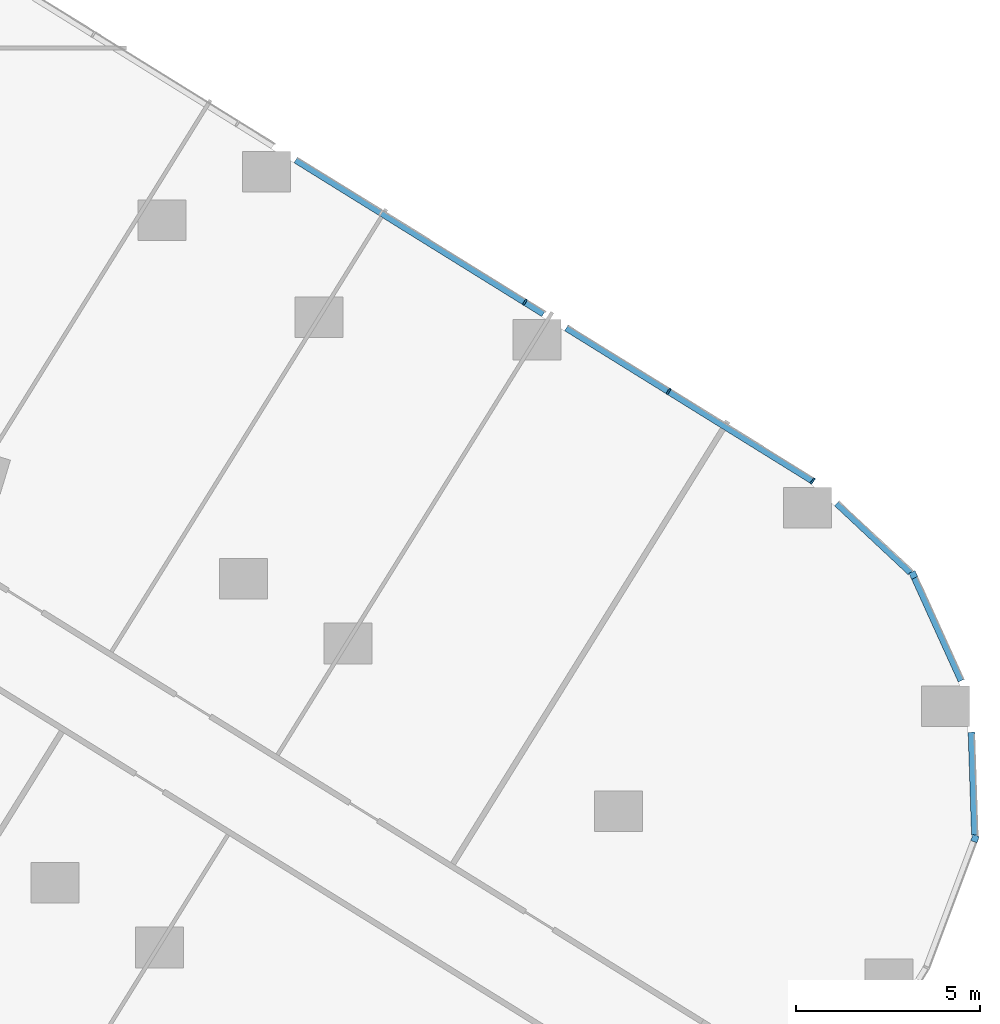
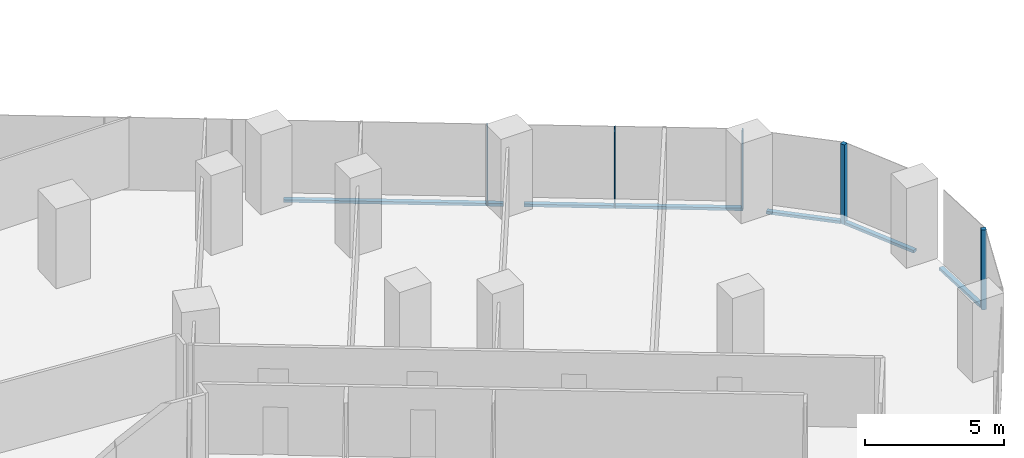
# One storey, part 11 of 34: 10 members, 5 elements without a shape of their own.
"""IFC4 building model written with IfcOpenShell, lengths in metres."""

from ifc_helpers import new_model, si_unit, direction, frame, origin, origin_2d, place, context, subcontext, project, spatial, rectangle, extrude, material, material_profile, profile_set, type_object, element, aggregate, save


model = new_model("IFC4")

# Units and contexts
model_context = context("Model", 3, precision=1e-05, world=origin(), true_north=direction((0.0, 1.0)))
body_context = subcontext(model_context, "Body", "Model", "MODEL_VIEW")
ifc_project = project(units=[si_unit("LENGTHUNIT", "METRE"), si_unit("AREAUNIT", "SQUARE_METRE"), si_unit("VOLUMEUNIT", "CUBIC_METRE"), si_unit("PLANEANGLEUNIT", "RADIAN"), si_unit("MASSUNIT", "GRAM", prefix="KILO")], contexts=[model_context])

# Site, building, storey
site_placement = place(None, origin())
site = spatial("IfcSite", under=ifc_project, at=site_placement, CompositionType="ELEMENT")
building_placement = place(site_placement, origin())
building = spatial("IfcBuilding", under=site, at=building_placement, Name="Orlundy Tower", CompositionType="ELEMENT")
storey_placement = place(building_placement, frame((0.0, 0.0, 44.300048828125)))
storey = spatial("IfcBuildingStorey", under=building, at=storey_placement, Name="L09", CompositionType="ELEMENT", Elevation=44.300048828125)

# Curtain wall, member
ifc_material_1 = material(Name="Aluminium bronze anodised", Category="aluminium")
curtain_wall_type = type_object("IfcCurtainWallType", Name="CW1 wall", PredefinedType="NOTDEFINED", material=ifc_material_1)
curtain_wall_1_placement = place(storey_placement, origin())
curtain_wall_1 = element("IfcCurtainWall", 1, at=curtain_wall_1_placement, inside=storey, type_object=curtain_wall_type, Name="CW1 run 08", PredefinedType="NOTDEFINED")
ifc_material_2 = material(Name="Aluminium bronze anodised", Category="aluminium")
ifc_material_profile_1 = material_profile(ifc_material_2, rectangle(XDim=0.179931640625, YDim=0.179931640625, at=origin_2d()), Name="CW1 corner post 180x180")
ifc_profile_set_1 = profile_set([ifc_material_profile_1], Name="Aluminium bronze anodised")
member_type_1 = type_object("IfcMemberType", Name="CW1 corner post 180x180", PredefinedType="MULLION", material=ifc_profile_set_1)
member_1_placement = place(storey_placement, frame((55.810546875, -11.859375, -0.420166015625), z_axis=(0.0, 0.0, 1.0), x_axis=(0.91057887201, 0.413335357608, 0.0)))
member_1 = element("IfcMember", 2, at=member_1_placement, type_object=member_type_1, Name="CW1 mullion 33", PredefinedType="MULLION", context=body_context, shape_type="SweptSolid", body=[
    extrude(rectangle(XDim=0.179931640625, YDim=0.179931640625, at=origin_2d()), origin(), (0.0, 0.0, 1.0), 3.5),
])

curtain_wall_2_placement = place(storey_placement, origin())
curtain_wall_2 = element("IfcCurtainWall", 3, at=curtain_wall_2_placement, inside=storey, type_object=curtain_wall_type, Name="CW1 run 010", PredefinedType="NOTDEFINED")
member_2_placement = place(storey_placement, frame((57.482666015625, -19.0078125, -0.420166015625), z_axis=(0.0, 0.0, 1.0), x_axis=(0.936173864009, -0.351537332791, 0.0)))
member_2 = element("IfcMember", 4, at=member_2_placement, type_object=member_type_1, Name="CW1 mullion 35", PredefinedType="MULLION", context=body_context, shape_type="SweptSolid", body=[
    extrude(rectangle(XDim=0.179931640625, YDim=0.179931640625, at=origin_2d()), origin(), (0.0, 0.0, 1.0), 3.5),
])
aggregate(curtain_wall_2, [member_2])

# Curtain wall, members
curtain_wall_3_placement = place(storey_placement, origin())
curtain_wall_3 = element("IfcCurtainWall", 5, at=curtain_wall_3_placement, inside=storey, type_object=curtain_wall_type, Name="CW1 run 06", PredefinedType="NOTDEFINED")
ifc_material_3 = material(Name="Aluminium bronze anodised", Category="aluminium")
ifc_material_profile_2 = material_profile(ifc_material_3, rectangle(XDim=0.179931640625, YDim=0.050048828125, at=origin_2d()), Name="CW1 mullion 50x180")
ifc_profile_set_2 = profile_set([ifc_material_profile_2], Name="Aluminium bronze anodised")
member_type_2 = type_object("IfcMemberType", Name="CW1 mullion 50x180", PredefinedType="MULLION", material=ifc_profile_set_2)
member_3_placement = place(storey_placement, frame((45.278564453125, -4.4638671875, -0.420166015625), z_axis=(0.0, 0.0, 1.0), x_axis=(0.527453271529, 0.849584043137, 0.0)))
member_3 = element("IfcMember", 6, at=member_3_placement, type_object=member_type_2, Name="CW1 mullion 30", PredefinedType="MULLION", context=body_context, shape_type="SweptSolid", body=[
    extrude(rectangle(XDim=0.179931640625, YDim=0.050048828125, at=origin_2d()), origin(), (0.0, 0.0, 1.0), 3.5),
])
member_4_placement = place(storey_placement, frame((49.177001953125, -6.88427734375, -0.420166015625), z_axis=(0.0, 0.0, 1.0), x_axis=(0.527453271529, 0.849584043137, 0.0)))
member_4 = element("IfcMember", 7, at=member_4_placement, type_object=member_type_2, Name="CW1 mullion 31", PredefinedType="MULLION", context=body_context, shape_type="SweptSolid", body=[
    extrude(rectangle(XDim=0.179931640625, YDim=0.050048828125, at=origin_2d()), origin(), (0.0, 0.0, 1.0), 3.5),
])

# Curtain wall, member
curtain_wall_4_placement = place(storey_placement, origin())
curtain_wall_4 = element("IfcCurtainWall", 8, at=curtain_wall_4_placement, inside=storey, type_object=curtain_wall_type, Name="CW1 run 07", PredefinedType="NOTDEFINED")
member_5_placement = place(storey_placement, frame((53.0830078125, -9.309326171875, -0.420166015625), z_axis=(0.0, 0.0, 1.0), x_axis=(0.608136954191, 0.793832126427, 0.0)))
member_5 = element("IfcMember", 9, at=member_5_placement, type_object=member_type_2, Name="CW1 mullion 32", PredefinedType="MULLION", context=body_context, shape_type="SweptSolid", body=[
    extrude(rectangle(XDim=0.179931640625, YDim=0.050048828125, at=origin_2d()), origin(), (0.0, 0.0, 1.0), 3.5),
])

# Member
ifc_material_4 = material(Name="Aluminium bronze anodised", Category="aluminium")
ifc_material_profile_3 = material_profile(ifc_material_4, rectangle(XDim=0.179931640625, YDim=0.1201171875, at=origin_2d()), Name="CW1 transom 180x120")
ifc_profile_set_3 = profile_set([ifc_material_profile_3], Name="Aluminium bronze anodised")
member_type_3 = type_object("IfcMemberType", Name="CW1 transom 180x120", PredefinedType="USERDEFINED", material=ifc_profile_set_3)
member_6_placement = place(storey_placement, frame((39.069091796875, -0.60888671875, -0.360107421875), z_axis=(0.84958050757, -0.527458966326, 0.0), x_axis=(0.527458966326, 0.84958050757, 0.0)))
member_6 = element("IfcMember", 10, at=member_6_placement, type_object=member_type_3, Name="CW1 transom", ObjectType="TRANSOM", PredefinedType="USERDEFINED", context=body_context, shape_type="SweptSolid", body=[
    extrude(rectangle(XDim=0.179931640625, YDim=0.1201171875, at=origin_2d()), origin(), (0.0, 0.0, 1.0), 7.904296875),
])

member_7_placement = place(storey_placement, frame((46.404052734375, -5.16259765625, -0.360107421875), z_axis=(0.849587212387, -0.527448166693, 0.0), x_axis=(0.527448166693, 0.849587212387, 0.0)))
member_7 = element("IfcMember", 11, at=member_7_placement, type_object=member_type_3, Name="CW1 transom", ObjectType="TRANSOM", PredefinedType="USERDEFINED", context=body_context, shape_type="SweptSolid", body=[
    extrude(rectangle(XDim=0.179931640625, YDim=0.1201171875, at=origin_2d()), origin(), (0.0, 0.0, 1.0), 7.83642578125),
])

aggregate(curtain_wall_3, [member_3, member_4, member_6, member_7])

member_8_placement = place(storey_placement, frame((53.736083984375, -9.919677734375, -0.360107421875), z_axis=(0.73043039974, -0.682987138338, 0.0), x_axis=(0.682987138338, 0.73043039974, 0.0)))
member_8 = element("IfcMember", 12, at=member_8_placement, type_object=member_type_3, Name="CW1 transom", ObjectType="TRANSOM", PredefinedType="USERDEFINED", context=body_context, shape_type="SweptSolid", body=[
    extrude(rectangle(XDim=0.179931640625, YDim=0.1201171875, at=origin_2d()), origin(), (0.0, 0.0, 1.0), 2.74267578125),
])

aggregate(curtain_wall_4, [member_5, member_8])

member_9_placement = place(storey_placement, frame((55.84765625, -11.94140625, -0.360107421875), z_axis=(0.413357645498, -0.91056875463, 0.0), x_axis=(0.91056875463, 0.413357645498, 0.0)))
member_9 = element("IfcMember", 13, at=member_9_placement, type_object=member_type_3, Name="CW1 transom", ObjectType="TRANSOM", PredefinedType="USERDEFINED", context=body_context, shape_type="SweptSolid", body=[
    extrude(rectangle(XDim=0.179931640625, YDim=0.1201171875, at=origin_2d()), origin(), (0.0, 0.0, 1.0), 3.05712890625),
])

aggregate(curtain_wall_1, [member_1, member_9])

# Curtain wall, member
curtain_wall_5_placement = place(storey_placement, origin())
curtain_wall_5 = element("IfcCurtainWall", 14, at=curtain_wall_5_placement, inside=storey, type_object=curtain_wall_type, Name="CW1 run 09", PredefinedType="NOTDEFINED")
member_10_placement = place(storey_placement, frame((57.385986328125, -16.125, -0.360107421875), z_axis=(0.033463586298, -0.999439937361, 0.0), x_axis=(0.999439937361, 0.033463586298, 0.0)))
member_10 = element("IfcMember", 15, at=member_10_placement, type_object=member_type_3, Name="CW1 transom", ObjectType="TRANSOM", PredefinedType="USERDEFINED", context=body_context, shape_type="SweptSolid", body=[
    extrude(rectangle(XDim=0.179931640625, YDim=0.1201171875, at=origin_2d()), origin(), (0.0, 0.0, 1.0), 2.786865234375),
])
aggregate(curtain_wall_5, [member_10])

save(model, "model.ifc")
